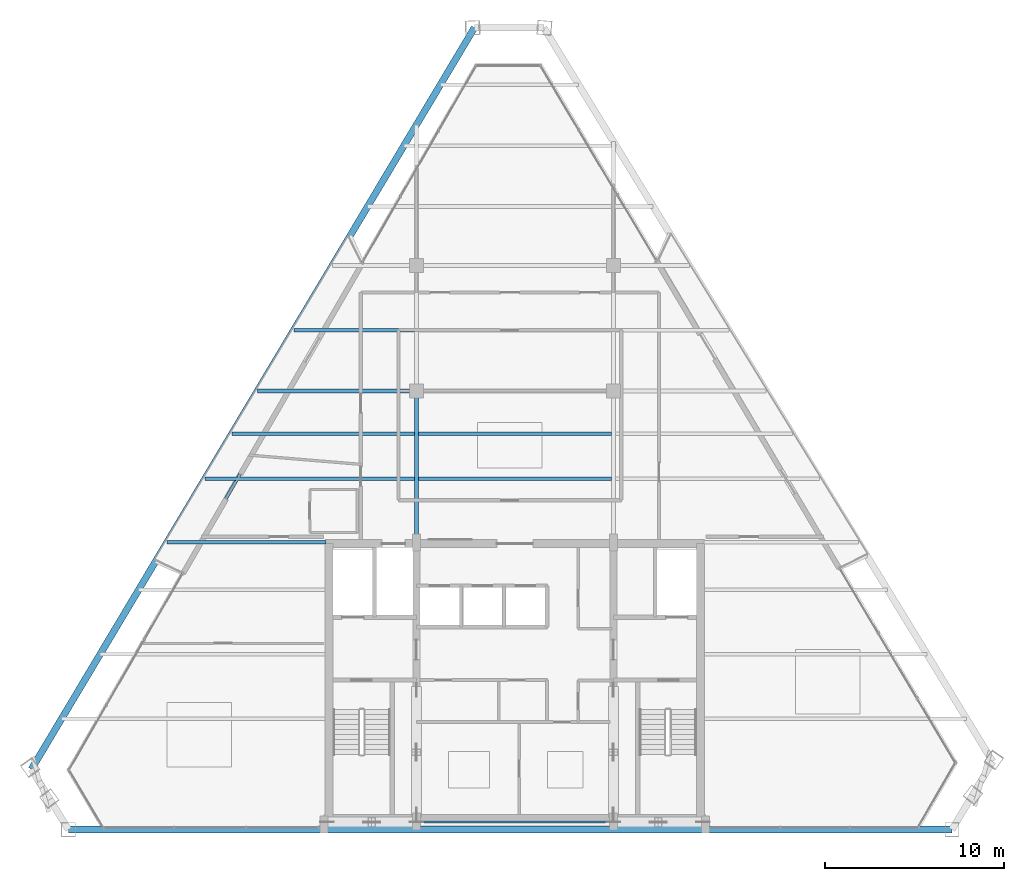
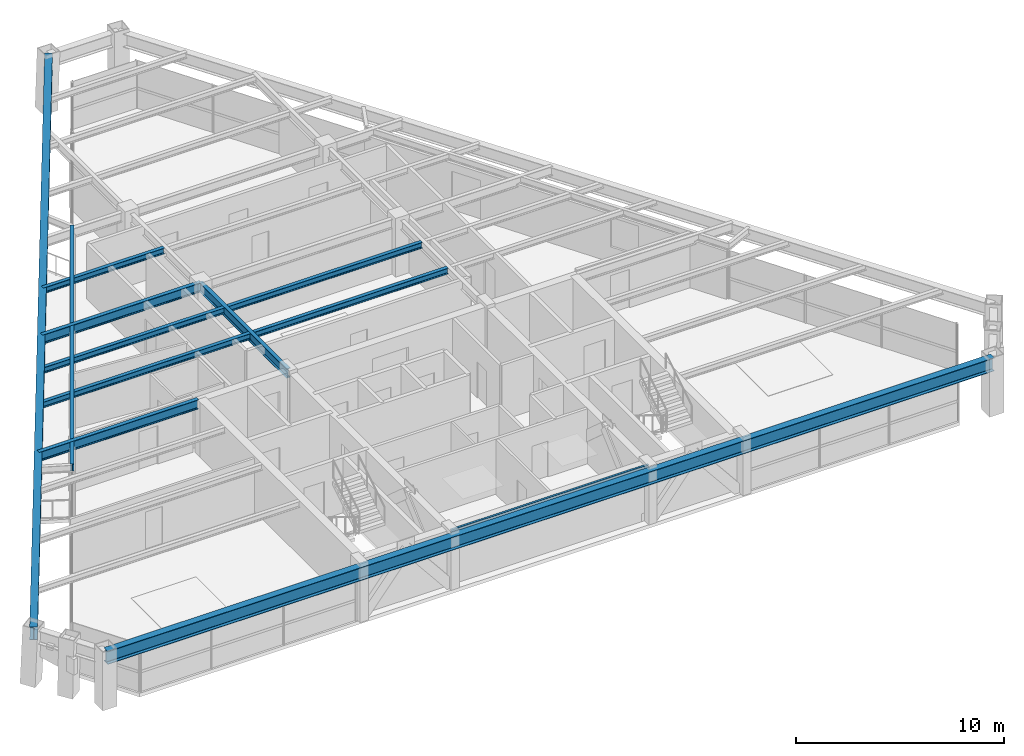
# One storey, part 3 of 13: 12 beams.
"""IFC4 building model written with IfcOpenShell, lengths in metres."""

from ifc_helpers import new_model, si_unit, direction, frame, origin, origin_2d, place, context, subcontext, project, spatial, i_section, extrude, source, transform, mapped, material, material_profile, profile_set, type_object, type_shapes, element, save


model = new_model("IFC4")

# Units and contexts
model_context = context("Model", 3, precision=1e-05, world=origin(), true_north=direction((0.0, 1.0)))
body_context = subcontext(model_context, "Body", "Model", "MODEL_VIEW")
ifc_project = project(units=[si_unit("LENGTHUNIT", "METRE"), si_unit("AREAUNIT", "SQUARE_METRE"), si_unit("VOLUMEUNIT", "CUBIC_METRE"), si_unit("PLANEANGLEUNIT", "RADIAN"), si_unit("MASSUNIT", "GRAM", prefix="KILO")], contexts=[model_context])

# Site, building, storey
site_placement = place(None, origin())
site = spatial("IfcSite", under=ifc_project, at=site_placement, CompositionType="ELEMENT")
building_placement = place(site_placement, origin())
building = spatial("IfcBuilding", under=site, at=building_placement, Name="Varnakhor Terracotta Tower", CompositionType="ELEMENT")
storey_placement = place(building_placement, frame((0.0, 0.0, 273.0)))
storey = spatial("IfcBuildingStorey", under=building, at=storey_placement, Name="L71", CompositionType="ELEMENT", Elevation=273.0)

# Beams
ifc_material = material(Name="Steel S355", Category="steel")
ifc_material_profile_1 = material_profile(ifc_material, i_section(OverallWidth=0.1201171875, OverallDepth=0.239990234375, WebThickness=0.006103515625, FlangeThickness=0.009765625, FilletRadius=0.01806640625, at=origin_2d()), Name="IPE240")
ifc_profile_set_1 = profile_set([ifc_material_profile_1], Name="Steel S355")
beam_type_1 = type_object("IfcBeamType", Name="LNT-IPE240", PredefinedType="LINTEL", material=ifc_profile_set_1)
shared_shape_1 = source(origin(), body_context, "Body", "SweptSolid", [
    extrude(i_section(OverallWidth=0.1201171875, OverallDepth=0.239990234375, WebThickness=0.006103515625, FlangeThickness=0.009765625, FilletRadius=0.01806640625, at=origin_2d()), origin(), (0.0, 0.0, 1.0), 11.0),
])
type_shapes(beam_type_1, [shared_shape_1])
beam_1_placement = place(storey_placement, frame((-5.5, 0.419921875, 3.1201171875), z_axis=(1.0, 0.0, 0.0), x_axis=(0.0, 1.0, 0.0)))
element("IfcBeam", 1, at=beam_1_placement, inside=storey, type_object=beam_type_1, Name="L71 Core South Coupling Lintel", PredefinedType="LINTEL", context=body_context, shape_type="MappedRepresentation", body=[
    mapped(shared_shape_1, transform((0.0, 0.0, 0.0), scale=1.0)),
])
ifc_material_profile_2 = material_profile(ifc_material, i_section(OverallWidth=0.214111328125, OverallDepth=0.549072265625, WebThickness=0.014892578125, FlangeThickness=0.02392578125, FilletRadius=0.01806640625, at=origin_2d()), Name="W21X93")
ifc_profile_set_2 = profile_set([ifc_material_profile_2], Name="Steel S355")
beam_type_2 = type_object("IfcBeamType", Name="BM-W21X93", PredefinedType="BEAM", material=ifc_profile_set_2)
shared_shape_2 = source(origin(), body_context, "Body", "SweptSolid", [
    extrude(i_section(OverallWidth=0.214111328125, OverallDepth=0.549072265625, WebThickness=0.014892578125, FlangeThickness=0.02392578125, FilletRadius=0.01806640625, at=origin_2d()), origin(), (0.0, 0.0, 1.0), 8.449951171875),
])
type_shapes(beam_type_2, [shared_shape_2])
beam_2_placement = place(storey_placement, frame((-5.5, 16.050048828125, 2.965576171875), z_axis=(0.0, 1.0, 0.0), x_axis=(-1.0, 0.0, 0.0)))
element("IfcBeam", 2, at=beam_2_placement, inside=storey, type_object=beam_type_2, Name="L71 Primary Girder NS1-W", PredefinedType="BEAM", context=body_context, shape_type="MappedRepresentation", body=[
    mapped(shared_shape_2, transform((0.0, 0.0, 0.0), scale=1.0)),
])
ifc_material_profile_3 = material_profile(ifc_material, i_section(OverallWidth=0.202880859375, OverallDepth=0.346923828125, WebThickness=0.0078125, FlangeThickness=0.013427734375, FilletRadius=0.01806640625, at=origin_2d()), Name="W14X43")
ifc_profile_set_3 = profile_set([ifc_material_profile_3], Name="Steel S355")
beam_type_3 = type_object("IfcBeamType", Name="JST-W14X43", PredefinedType="JOIST", material=ifc_profile_set_3)
shared_shape_3 = source(origin(), body_context, "Body", "SweptSolid", [
    extrude(i_section(OverallWidth=0.202880859375, OverallDepth=0.346923828125, WebThickness=0.0078125, FlangeThickness=0.013427734375, FilletRadius=0.01806640625, at=origin_2d()), origin(), (0.0, 0.0, 1.0), 10.7939453125),
])
for number, where, z_axis, x_axis, name in (
    (3, (-5.39697265625, 19.60009765625, 3.06640625), (1.0, 0.0, 0.0), (0.0, 1.0, 0.0), "L71 Composite Floor Joist 4-2"),
    (4, (-5.39697265625, 22.10009765625, 3.06640625), (1.0, 0.0, 0.0), (0.0, 1.0, 0.0), "L71 Composite Floor Joist 5-2"),
):
    element("IfcBeam", number, at=place(storey_placement, frame(where, z_axis=z_axis, x_axis=x_axis)), inside=storey, type_object=beam_type_3, Name=name, PredefinedType="JOIST", context=body_context, shape_type="MappedRepresentation", body=[
        mapped(shared_shape_3, transform((0.0, 0.0, 0.0), scale=1.0)),
    ])
ifc_material_profile_4 = material_profile(ifc_material, i_section(OverallWidth=0.381103515625, OverallDepth=0.77294921875, WebThickness=0.01708984375, FlangeThickness=0.027099609375, FilletRadius=0.01806640625, at=origin_2d()), Name="W30X173")
ifc_profile_set_4 = profile_set([ifc_material_profile_4], Name="Steel S355")
beam_type_4 = type_object("IfcBeamType", Name="BM-W30X173", PredefinedType="BEAM", material=ifc_profile_set_4)
shared_shape_4 = source(origin(), body_context, "Body", "SweptSolid", [
    extrude(i_section(OverallWidth=0.381103515625, OverallDepth=0.77294921875, WebThickness=0.01708984375, FlangeThickness=0.027099609375, FilletRadius=0.01806640625, at=origin_2d()), origin(), (0.0, 0.0, 1.0), 49.34130859375),
])
beam_3_placement = place(storey_placement, frame((-24.93212890625, 0.0, 2.853515625), z_axis=(1.0, 0.0, 0.0), x_axis=(0.0, 1.0, 0.0)))
element("IfcBeam", 5, at=beam_3_placement, inside=storey, type_object=beam_type_4, Name="L71 Perimeter Spandrel 1", PredefinedType="BEAM", context=body_context, shape_type="MappedRepresentation", body=[
    mapped(shared_shape_4, transform((0.0, 0.0, 0.0), scale=1.0)),
])
shared_shape_5 = source(origin(), body_context, "Body", "SweptSolid", [
    extrude(i_section(OverallWidth=0.381103515625, OverallDepth=0.77294921875, WebThickness=0.01708984375, FlangeThickness=0.027099609375, FilletRadius=0.01806640625, at=origin_2d()), origin(), (0.0, 0.0, 1.0), 48.236328125),
])
beam_4_placement = place(storey_placement, frame((-2.258056640625, 44.7841796875, 2.853515625), z_axis=(-0.512855833441, -0.858474748671, 0.0), x_axis=(0.858474748671, -0.512855833441, 0.0)))
element("IfcBeam", 6, at=beam_4_placement, inside=storey, type_object=beam_type_4, Name="L71 Perimeter Spandrel 6", PredefinedType="BEAM", context=body_context, shape_type="MappedRepresentation", body=[
    mapped(shared_shape_5, transform((0.0, 0.0, 0.0), scale=1.0)),
])
ifc_material_profile_5 = material_profile(ifc_material, i_section(OverallWidth=0.179931640625, OverallDepth=0.39990234375, WebThickness=0.008544921875, FlangeThickness=0.013427734375, FilletRadius=0.01806640625, at=origin_2d()), Name="IPE400")
ifc_profile_set_5 = profile_set([ifc_material_profile_5], Name="Steel S355")
beam_type_5 = type_object("IfcBeamType", Name="JST-IPE400", PredefinedType="JOIST", material=ifc_profile_set_5)
shared_shape_6 = source(origin(), body_context, "Body", "SweptSolid", [
    extrude(i_section(OverallWidth=0.179931640625, OverallDepth=0.39990234375, WebThickness=0.008544921875, FlangeThickness=0.013427734375, FilletRadius=0.01806640625, at=origin_2d()), origin(), (0.0, 0.0, 1.0), 20.09716796875),
])
beam_5_placement = place(storey_placement, frame((-8.50634765625, 31.70263671875, 3.0400390625), z_axis=(-0.500049484442, -0.865996832044, 0.0), x_axis=(0.865996832044, -0.500049484442, 0.0)))
element("IfcBeam", 7, at=beam_5_placement, inside=storey, type_object=beam_type_5, Name="L71 Loggia Edge Beam 2", PredefinedType="JOIST", context=body_context, shape_type="MappedRepresentation", body=[
    mapped(shared_shape_6, transform((0.0, 0.0, 0.0), scale=1.0)),
])
shared_shape_7 = source(origin(), body_context, "Body", "SweptSolid", [
    extrude(i_section(OverallWidth=0.214111328125, OverallDepth=0.549072265625, WebThickness=0.014892578125, FlangeThickness=0.02392578125, FilletRadius=0.01806640625, at=origin_2d()), origin(), (0.0, 0.0, 1.0), 8.8740234375),
])
beam_6_placement = place(storey_placement, frame((-19.424072265625, 16.050048828125, 2.965576171875), z_axis=(1.0, 0.0, 0.0), x_axis=(0.0, 1.0, 0.0)))
element("IfcBeam", 8, at=beam_6_placement, inside=storey, type_object=beam_type_2, Name="L71 Wing Girder W", PredefinedType="BEAM", context=body_context, shape_type="MappedRepresentation", body=[
    mapped(shared_shape_7, transform((0.0, 0.0, 0.0), scale=1.0)),
])
shared_shape_8 = source(origin(), body_context, "Body", "SweptSolid", [
    extrude(i_section(OverallWidth=0.214111328125, OverallDepth=0.549072265625, WebThickness=0.014892578125, FlangeThickness=0.02392578125, FilletRadius=0.01806640625, at=origin_2d()), origin(), (0.0, 0.0, 1.0), 8.8759765625),
])
beam_7_placement = place(storey_placement, frame((-14.3759765625, 24.5, 2.965576171875), z_axis=(1.0, 0.0, 0.0), x_axis=(0.0, 1.0, 0.0)))
element("IfcBeam", 9, at=beam_7_placement, inside=storey, type_object=beam_type_2, Name="L71 Primary Girder EW2-1", PredefinedType="BEAM", context=body_context, shape_type="MappedRepresentation", body=[
    mapped(shared_shape_8, transform((0.0, 0.0, 0.0), scale=1.0)),
])
shared_shape_9 = source(origin(), body_context, "Body", "SweptSolid", [
    extrude(i_section(OverallWidth=0.202880859375, OverallDepth=0.346923828125, WebThickness=0.0078125, FlangeThickness=0.013427734375, FilletRadius=0.01806640625, at=origin_2d()), origin(), (0.0, 0.0, 1.0), 11.7001953125),
])
beam_8_placement = place(storey_placement, frame((-17.30322265625, 19.60009765625, 3.06640625), z_axis=(1.0, 0.0, 0.0), x_axis=(0.0, 1.0, 0.0)))
element("IfcBeam", 10, at=beam_8_placement, inside=storey, type_object=beam_type_3, Name="L71 Composite Floor Joist 4-1", PredefinedType="JOIST", context=body_context, shape_type="MappedRepresentation", body=[
    mapped(shared_shape_9, transform((0.0, 0.0, 0.0), scale=1.0)),
])
shared_shape_10 = source(origin(), body_context, "Body", "SweptSolid", [
    extrude(i_section(OverallWidth=0.202880859375, OverallDepth=0.346923828125, WebThickness=0.0078125, FlangeThickness=0.013427734375, FilletRadius=0.01806640625, at=origin_2d()), origin(), (0.0, 0.0, 1.0), 10.206787109375),
])
beam_9_placement = place(storey_placement, frame((-15.809814453125, 22.10009765625, 3.06640625), z_axis=(1.0, 0.0, 0.0), x_axis=(0.0, 1.0, 0.0)))
element("IfcBeam", 11, at=beam_9_placement, inside=storey, type_object=beam_type_3, Name="L71 Composite Floor Joist 5-1", PredefinedType="JOIST", context=body_context, shape_type="MappedRepresentation", body=[
    mapped(shared_shape_10, transform((0.0, 0.0, 0.0), scale=1.0)),
])
shared_shape_11 = source(origin(), body_context, "Body", "SweptSolid", [
    extrude(i_section(OverallWidth=0.202880859375, OverallDepth=0.346923828125, WebThickness=0.0078125, FlangeThickness=0.013427734375, FilletRadius=0.01806640625, at=origin_2d()), origin(), (0.0, 0.0, 1.0), 6.74169921875),
])
beam_10_placement = place(storey_placement, frame((-12.3447265625, 27.89990234375, 3.06640625), z_axis=(1.0, 0.0, 0.0), x_axis=(0.0, 1.0, 0.0)))
element("IfcBeam", 12, at=beam_10_placement, inside=storey, type_object=beam_type_3, Name="L71 Composite Floor Joist 6-1", PredefinedType="JOIST", context=body_context, shape_type="MappedRepresentation", body=[
    mapped(shared_shape_11, transform((0.0, 0.0, 0.0), scale=1.0)),
])

save(model, "model.ifc")
